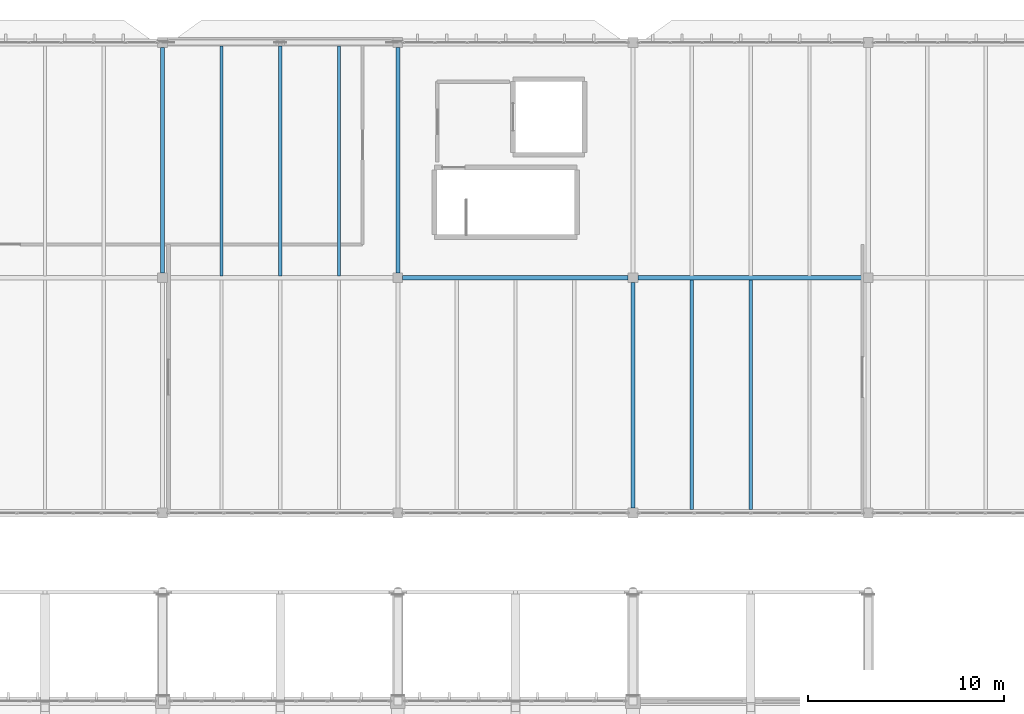
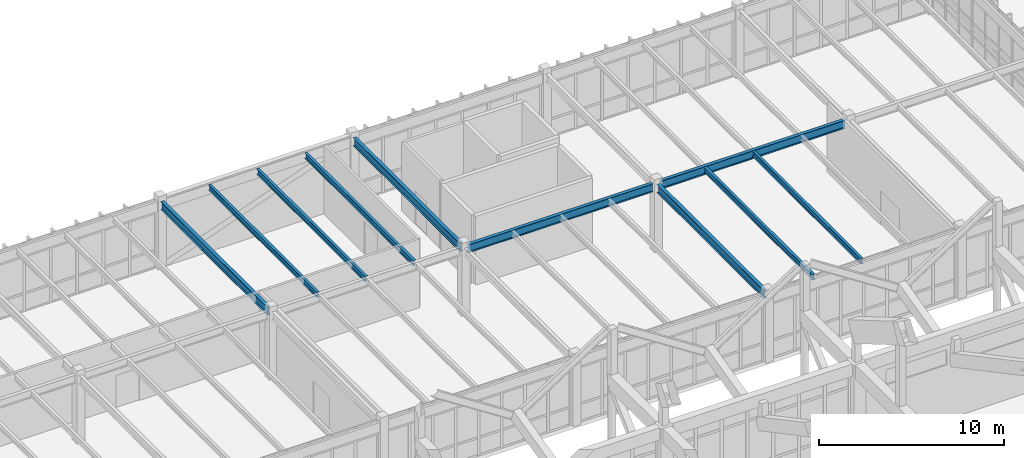
# One storey, part 108 of 236: 10 beams.
"""IFC4 building model written with IfcOpenShell, lengths in metres."""

from ifc_helpers import new_model, si_unit, direction, frame, origin, origin_2d, place, context, subcontext, project, spatial, i_section, extrude, material, material_profile, profile_set, type_object, element, save


model = new_model("IFC4")

# Units and contexts
model_context = context("Model", 3, precision=1e-05, world=origin(), true_north=direction((0.0, 1.0)))
body_context = subcontext(model_context, "Body", "Model", "MODEL_VIEW")
ifc_project = project(units=[si_unit("LENGTHUNIT", "METRE"), si_unit("AREAUNIT", "SQUARE_METRE"), si_unit("VOLUMEUNIT", "CUBIC_METRE"), si_unit("PLANEANGLEUNIT", "RADIAN"), si_unit("MASSUNIT", "GRAM", prefix="KILO")], contexts=[model_context])

# Site, building, storey
site_placement = place(None, origin())
site = spatial("IfcSite", under=ifc_project, at=site_placement, CompositionType="ELEMENT")
building_placement = place(site_placement, origin())
building = spatial("IfcBuilding", under=site, at=building_placement, Name="Pandanus Reach Market Hall", CompositionType="ELEMENT")
storey_placement = place(building_placement, frame((0.0, 0.0, 5.39990234375)))
storey = spatial("IfcBuildingStorey", under=building, at=storey_placement, Name="L01", CompositionType="ELEMENT", Elevation=5.39990234375)

# Beams
ifc_material = material(Name="Steel Grade 350 (350 MPa)", Category="steel")
ifc_material_profile_1 = material_profile(ifc_material, i_section(OverallWidth=0.208984375, OverallDepth=0.532958984375, WebThickness=0.01025390625, FlangeThickness=0.015625, at=origin_2d()), Name="530UB92.4", Category="LoadBearing")
ifc_profile_set_1 = profile_set([ifc_material_profile_1], Name="Steel Grade 350 (350 MPa)")
beam_type_1 = type_object("IfcBeamType", Name="BM-UB530-I", PredefinedType="BEAM", material=ifc_profile_set_1)
for number, where, z_axis, x_axis, name in (
    (1, (108.248046875, 108.0, 4.193115234375), (1.0, 0.0, 0.0), (0.0, 1.0, 0.0), "Framing beam BM-UB530-I L01.859"),
    (2, (120.248046875, 108.0, 4.193115234375), (1.0, 0.0, 0.0), (0.0, 1.0, 0.0), "Framing beam BM-UB530-I L01.860"),
    (3, (96.0, 108.248046875, 4.193115234375), (0.0, 1.0, 0.0), (-1.0, 0.0, 0.0), "Framing beam BM-UB530-I L01.876"),
    (4, (108.0, 108.248046875, 4.193115234375), (0.0, 1.0, 0.0), (-1.0, 0.0, 0.0), "Framing beam BM-UB530-I L01.878"),
    (5, (120.0, 96.248046875, 4.193115234375), (0.0, 1.0, 0.0), (-1.0, 0.0, 0.0), "Framing beam BM-UB530-I L01.879"),
):
    element("IfcBeam", number, at=place(storey_placement, frame(where, z_axis=z_axis, x_axis=x_axis)), inside=storey, type_object=beam_type_1, Name=name, PredefinedType="BEAM", context=body_context, shape_type="SweptSolid", body=[
        extrude(i_section(OverallWidth=0.208984375, OverallDepth=0.532958984375, WebThickness=0.01025390625, FlangeThickness=0.015625, at=origin_2d()), origin(), (0.0, 0.0, 1.0), 11.50390625),
    ])
ifc_material_profile_2 = material_profile(ifc_material, i_section(OverallWidth=0.1708984375, OverallDepth=0.35595703125, WebThickness=0.00732421875, FlangeThickness=0.011474609375, at=origin_2d()), Name="360UB50.7", Category="LoadBearing")
ifc_profile_set_2 = profile_set([ifc_material_profile_2], Name="Steel Grade 350 (350 MPa)")
beam_type_2 = type_object("IfcBeamType", Name="JS-UB360-I", PredefinedType="JOIST", material=ifc_profile_set_2)
for number, where, z_axis, x_axis, name in (
    (6, (99.0, 108.1025390625, 4.28173828125), (0.0, 1.0, 0.0), (-1.0, 0.0, 0.0), "Secondary joist JS-UB360-I L01.903"),
    (7, (102.0, 108.1025390625, 4.28173828125), (0.0, 1.0, 0.0), (-1.0, 0.0, 0.0), "Secondary joist JS-UB360-I L01.904"),
    (8, (105.0, 108.1025390625, 4.28173828125), (0.0, 1.0, 0.0), (-1.0, 0.0, 0.0), "Secondary joist JS-UB360-I L01.905"),
    (9, (123.0, 96.173095703125, 4.28173828125), (0.0, 1.0, 0.0), (-1.0, 0.0, 0.0), "Secondary joist JS-UB360-I L01.909"),
    (10, (126.0, 96.173095703125, 4.28173828125), (0.0, 1.0, 0.0), (-1.0, 0.0, 0.0), "Secondary joist JS-UB360-I L01.910"),
):
    element("IfcBeam", number, at=place(storey_placement, frame(where, z_axis=z_axis, x_axis=x_axis)), inside=storey, type_object=beam_type_2, Name=name, PredefinedType="JOIST", context=body_context, shape_type="SweptSolid", body=[
        extrude(i_section(OverallWidth=0.1708984375, OverallDepth=0.35595703125, WebThickness=0.00732421875, FlangeThickness=0.011474609375, at=origin_2d()), origin(), (0.0, 0.0, 1.0), 11.724365234375),
    ])

save(model, "model.ifc")
